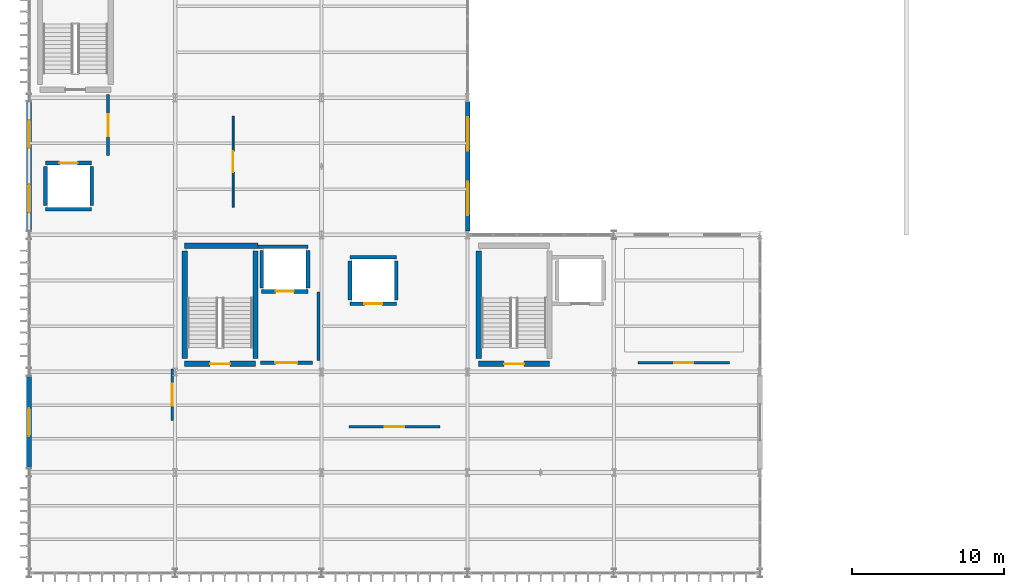
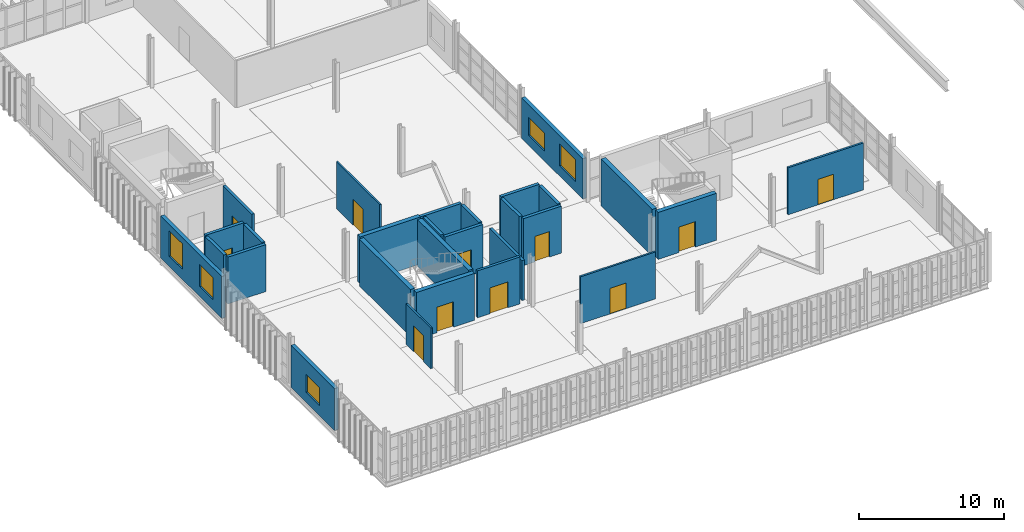
# One storey, part 31 of 52: 28 walls, 11 doors, 5 windows, 16 openings.
"""IFC4 building model written with IfcOpenShell, lengths in metres."""

from ifc_helpers import new_model, si_unit, direction, frame, frame_2d, origin, place, context, subcontext, project, spatial, rectangle, extrude, material, layer, layer_set, type_object, element, fill, save


model = new_model("IFC4")

# Units and contexts
model_context = context("Model", 3, precision=1e-05, world=origin(), true_north=direction((0.0, 1.0)))
body_context = subcontext(model_context, "Body", "Model", "MODEL_VIEW")
ifc_project = project(units=[si_unit("LENGTHUNIT", "METRE"), si_unit("AREAUNIT", "SQUARE_METRE"), si_unit("VOLUMEUNIT", "CUBIC_METRE"), si_unit("PLANEANGLEUNIT", "RADIAN"), si_unit("MASSUNIT", "GRAM", prefix="KILO")], contexts=[model_context])

# Site, building, storey
site_placement = place(None, origin())
site = spatial("IfcSite", under=ifc_project, at=site_placement, CompositionType="ELEMENT")
building_placement = place(site_placement, origin())
building = spatial("IfcBuilding", under=site, at=building_placement, Name="Zarnetskaya Central Station", CompositionType="ELEMENT")
storey_placement = place(building_placement, frame((0.0, 0.0, 14.39990234375)))
storey = spatial("IfcBuildingStorey", under=building, at=storey_placement, Name="L03", CompositionType="ELEMENT", Elevation=14.39990234375)

# Wall, opening, door
ifc_material_1 = material(Name="Gypsum acoustic partition")
ifc_layer_1 = layer(ifc_material_1, 0.159912109375, Name="Gypsum acoustic partition")
ifc_layer_set_1 = layer_set([ifc_layer_1], Name="Gypsum acoustic partition")
wall_type_1 = type_object("IfcWallType", Name="PART-ACOU-160", PredefinedType="PARTITIONING", material=ifc_layer_set_1)
wall_1_placement = place(storey_placement, frame((46.0, 13.800048828125, 0.0), z_axis=(0.0, 0.0, 1.0), x_axis=(-1.0, 0.0, 0.0)))
wall_1 = element("IfcWall", 1, at=wall_1_placement, inside=storey, type_object=wall_type_1, Name="Interior partition IPRT-L03-0428", PredefinedType="PARTITIONING", context=body_context, shape_type="SweptSolid", body=[
    extrude(rectangle(XDim=6.0, YDim=0.159912109375, at=frame_2d((3.0, 0.0))), origin(), (0.0, 0.0, 1.0), 3.960205078125),
])
opening_1_placement = place(wall_1_placement, frame((2.375, 0.0, 0.0)))
opening_1 = element("IfcOpeningElement", 2, at=opening_1_placement, cuts=wall_1, Name="Opening DR-11", PredefinedType="OPENING", context=body_context, shape_type="SweptSolid", body=[
    extrude(rectangle(XDim=1.25, YDim=2.159912109375, at=frame_2d((0.625, 1.080078125))), frame((0.0, 0.08984375, 0.0), z_axis=(0.0, -1.0, 0.0), x_axis=(1.0, 0.0, 0.0)), (0.0, 0.0, 1.0), 0.179931640625),
])
ifc_material_2 = material(Name="Anodised aluminium", Category="aluminium")
door_type_1 = type_object("IfcDoorType", Name="DR-INT-10", OperationType="NOTDEFINED", PredefinedType="DOOR", material=ifc_material_2)
door_1_placement = place(opening_1_placement, origin())
door_1 = element("IfcDoor", 3, at=door_1_placement, inside=storey, type_object=door_type_1, Name="Central Rail Traffic Control Hall door", OperationType="SINGLE_SWING_RIGHT", OverallHeight=2.159912109375, OverallWidth=1.25, PredefinedType="DOOR", context=body_context, shape_type="SweptSolid", body=[
    extrude(rectangle(XDim=1.25, YDim=2.159912109375, at=frame_2d((0.625, 1.080078125))), frame((0.0, 0.02490234375, 0.0), z_axis=(0.0, -1.0, 0.0), x_axis=(1.0, 0.0, 0.0)), (0.0, 0.0, 1.0), 0.050048828125),
])
fill(opening_1, door_1)

ifc_material_3 = material(Name="Concrete C30/37", Category="concrete")
ifc_layer_2 = layer(ifc_material_3, 0.205078125, Name="Concrete C30/37", Category="concrete")
ifc_layer_set_2 = layer_set([ifc_layer_2], Name="Concrete C30/37")
wall_type_2 = type_object("IfcWallType", Name="PART-FFL-205", PredefinedType="PARTITIONING", material=ifc_layer_set_2)
wall_2_placement = place(storey_placement, frame((18.60009765625, 13.800048828125, 0.0), z_axis=(0.0, 0.0, 1.0), x_axis=(-1.0, 0.0, 0.0)))
wall_2 = element("IfcWall", 4, at=wall_2_placement, inside=storey, type_object=wall_type_2, Name="Interior partition IPRT-L03-0365", PredefinedType="PARTITIONING", context=body_context, shape_type="SweptSolid", body=[
    extrude(rectangle(XDim=3.400146484375, YDim=0.205078125, at=frame_2d((1.7001953125, 0.0))), origin(), (0.0, 0.0, 1.0), 3.960205078125),
])
opening_2_placement = place(wall_2_placement, frame((0.97998046875, 0.0, 0.0)))
opening_2 = element("IfcOpeningElement", 5, at=opening_2_placement, cuts=wall_2, Name="Opening DR-FFL", PredefinedType="OPENING", context=body_context, shape_type="SweptSolid", body=[
    extrude(rectangle(XDim=1.43994140625, YDim=2.179931640625, at=frame_2d((0.719970703125, 1.08984375))), frame((0.0, 0.112548828125, 0.0), z_axis=(0.0, -1.0, 0.0), x_axis=(1.0, 0.0, 0.0)), (0.0, 0.0, 1.0), 0.22509765625),
])
door_type_2 = type_object("IfcDoorType", Name="DR-FIRE-LOBBY", OperationType="NOTDEFINED", PredefinedType="DOOR", material=ifc_material_2)
door_2_placement = place(opening_2_placement, origin())
door_2 = element("IfcDoor", 6, at=door_2_placement, inside=storey, type_object=door_type_2, Name="Firefighting Lift Lobby C1 door", OperationType="SINGLE_SWING_RIGHT", OverallHeight=2.179931640625, OverallWidth=1.43994140625, PredefinedType="DOOR", context=body_context, shape_type="SweptSolid", body=[
    extrude(rectangle(XDim=1.43994140625, YDim=2.179931640625, at=frame_2d((0.719970703125, 1.08984375))), frame((0.0, 0.02490234375, 0.0), z_axis=(0.0, -1.0, 0.0), x_axis=(1.0, 0.0, 0.0)), (0.0, 0.0, 1.0), 0.050048828125),
])
fill(opening_2, door_2)

# Wall
wall_3_placement = place(storey_placement, frame((19.0, 18.449951171875, 0.0), z_axis=(0.0, 0.0, 1.0), x_axis=(0.0, -1.0, 0.0)))
element("IfcWall", 7, at=wall_3_placement, inside=storey, type_object=wall_type_2, Name="Interior partition IPRT-L03-0366", PredefinedType="PARTITIONING", context=body_context, shape_type="SweptSolid", body=[
    extrude(rectangle(XDim=4.5, YDim=0.205078125, at=frame_2d((2.25, 0.0))), origin(), (0.0, 0.0, 1.0), 3.380126953125),
])

# Wall, opening, door
wall_4_placement = place(storey_placement, frame((5.199951171875, 31.39990234375, 0.0), z_axis=(0.0, 0.0, 1.0), x_axis=(0.0, -1.0, 0.0)))
wall_4 = element("IfcWall", 8, at=wall_4_placement, inside=storey, type_object=wall_type_2, Name="Interior partition IPRT-L03-0367", PredefinedType="PARTITIONING", context=body_context, shape_type="SweptSolid", body=[
    extrude(rectangle(XDim=4.0, YDim=0.205078125, at=frame_2d((2.0, 0.0))), origin(), (0.0, 0.0, 1.0), 3.960205078125),
])
opening_3_placement = place(wall_4_placement, frame((1.280029296875, 0.0, 0.0)))
opening_3 = element("IfcOpeningElement", 9, at=opening_3_placement, cuts=wall_4, Name="Opening DR-FFL", PredefinedType="OPENING", context=body_context, shape_type="SweptSolid", body=[
    extrude(rectangle(XDim=1.43994140625, YDim=2.179931640625, at=frame_2d((0.719970703125, 1.08984375))), frame((0.0, 0.112548828125, 0.0), z_axis=(0.0, -1.0, 0.0), x_axis=(1.0, 0.0, 0.0)), (0.0, 0.0, 1.0), 0.22509765625),
])
door_3_placement = place(opening_3_placement, origin())
door_3 = element("IfcDoor", 10, at=door_3_placement, inside=storey, type_object=door_type_2, Name="Firefighting Lift Lobby C2 door", OperationType="SINGLE_SWING_LEFT", OverallHeight=2.179931640625, OverallWidth=1.43994140625, PredefinedType="DOOR", context=body_context, shape_type="SweptSolid", body=[
    extrude(rectangle(XDim=1.43994140625, YDim=2.179931640625, at=frame_2d((0.719970703125, 1.08984375))), frame((0.0, 0.02490234375, 0.0), z_axis=(0.0, -1.0, 0.0), x_axis=(1.0, 0.0, 0.0)), (0.0, 0.0, 1.0), 0.050048828125),
])
fill(opening_3, door_3)

ifc_layer_3 = layer(ifc_material_1, 0.14501953125, Name="Gypsum acoustic partition")
ifc_layer_set_3 = layer_set([ifc_layer_3], Name="Gypsum acoustic partition")
wall_type_3 = type_object("IfcWallType", Name="PART-HALL-145", PredefinedType="PARTITIONING", material=ifc_layer_set_3)
wall_5_placement = place(storey_placement, frame((21.0, 9.60009765625, 0.0), z_axis=(0.0, 0.0, 1.0), x_axis=(1.0, 0.0, 0.0)))
wall_5 = element("IfcWall", 11, at=wall_5_placement, inside=storey, type_object=wall_type_3, Name="Interior partition IPRT-L03-0429", PredefinedType="PARTITIONING", context=body_context, shape_type="SweptSolid", body=[
    extrude(rectangle(XDim=6.0, YDim=0.14501953125, at=frame_2d((3.0, 0.0))), origin(), (0.0, 0.0, 1.0), 3.960205078125),
])
opening_4_placement = place(wall_5_placement, frame((2.35009765625, 0.0, 0.0)))
opening_4 = element("IfcOpeningElement", 12, at=opening_4_placement, cuts=wall_5, Name="Opening DR-14", PredefinedType="OPENING", context=body_context, shape_type="SweptSolid", body=[
    extrude(rectangle(XDim=1.300048828125, YDim=2.159912109375, at=frame_2d((0.64990234375, 1.080078125))), frame((0.0, 0.08251953125, 0.0), z_axis=(0.0, -1.0, 0.0), x_axis=(1.0, 0.0, 0.0)), (0.0, 0.0, 1.0), 0.1650390625),
])
door_type_3 = type_object("IfcDoorType", Name="DR-INT-11", OperationType="NOTDEFINED", PredefinedType="DOOR", material=ifc_material_2)
door_4_placement = place(opening_4_placement, origin())
door_4 = element("IfcDoor", 13, at=door_4_placement, inside=storey, type_object=door_type_3, Name="Train Movement Supervision Suite door", OperationType="SINGLE_SWING_LEFT", OverallHeight=2.159912109375, OverallWidth=1.300048828125, PredefinedType="DOOR", context=body_context, shape_type="SweptSolid", body=[
    extrude(rectangle(XDim=1.300048828125, YDim=2.159912109375, at=frame_2d((0.64990234375, 1.080078125))), frame((0.0, 0.02490234375, 0.0), z_axis=(0.0, -1.0, 0.0), x_axis=(1.0, 0.0, 0.0)), (0.0, 0.0, 1.0), 0.050048828125),
])
fill(opening_4, door_4)

wall_6_placement = place(storey_placement, frame((9.39990234375, 13.39990234375, 0.0), z_axis=(0.0, 0.0, 1.0), x_axis=(0.0, -1.0, 0.0)))
wall_6 = element("IfcWall", 14, at=wall_6_placement, inside=storey, type_object=wall_type_3, Name="Interior partition IPRT-L03-0431", PredefinedType="PARTITIONING", context=body_context, shape_type="SweptSolid", body=[
    extrude(rectangle(XDim=3.39990234375, YDim=0.14501953125, at=frame_2d((1.699951171875, 0.0))), origin(), (0.0, 0.0, 1.0), 3.43017578125),
])
opening_5_placement = place(wall_6_placement, frame((0.989990234375, 0.0, 0.0)))
opening_5 = element("IfcOpeningElement", 15, at=opening_5_placement, cuts=wall_6, Name="Opening DR-12", PredefinedType="OPENING", context=body_context, shape_type="SweptSolid", body=[
    extrude(rectangle(XDim=1.419921875, YDim=2.179931640625, at=frame_2d((0.7099609375, 1.08984375))), frame((0.0, 0.08251953125, 0.0), z_axis=(0.0, -1.0, 0.0), x_axis=(1.0, 0.0, 0.0)), (0.0, 0.0, 1.0), 0.1650390625),
])
door_type_4 = type_object("IfcDoorType", Name="DR-INT-13", OperationType="NOTDEFINED", PredefinedType="DOOR", material=ifc_material_2)
door_5_placement = place(opening_5_placement, origin())
door_5 = element("IfcDoor", 16, at=door_5_placement, inside=storey, type_object=door_type_4, Name="Crew Canteen and Briefing Hall door", OperationType="SINGLE_SWING_LEFT", OverallHeight=2.179931640625, OverallWidth=1.419921875, PredefinedType="DOOR", context=body_context, shape_type="SweptSolid", body=[
    extrude(rectangle(XDim=1.419921875, YDim=2.179931640625, at=frame_2d((0.7099609375, 1.08984375))), frame((0.0, 0.02490234375, 0.0), z_axis=(0.0, -1.0, 0.0), x_axis=(1.0, 0.0, 0.0)), (0.0, 0.0, 1.0), 0.050048828125),
])
fill(opening_5, door_5)

ifc_layer_4 = layer(ifc_material_1, 0.1298828125, Name="Gypsum acoustic partition")
ifc_layer_set_4 = layer_set([ifc_layer_4], Name="Gypsum acoustic partition")
wall_type_4 = type_object("IfcWallType", Name="PART-OFF-130", PredefinedType="PARTITIONING", material=ifc_layer_set_4)
wall_7_placement = place(storey_placement, frame((13.39990234375, 24.0, 0.0), z_axis=(0.0, 0.0, 1.0), x_axis=(0.0, 1.0, 0.0)))
wall_7 = element("IfcWall", 17, at=wall_7_placement, inside=storey, type_object=wall_type_4, Name="Interior partition IPRT-L03-0430", PredefinedType="PARTITIONING", context=body_context, shape_type="SweptSolid", body=[
    extrude(rectangle(XDim=6.0, YDim=0.1298828125, at=frame_2d((3.0, 0.0))), origin(), (0.0, 0.0, 1.0), 3.960205078125),
])
opening_6_placement = place(wall_7_placement, frame((2.320068359375, 0.0, 0.0)))
opening_6 = element("IfcOpeningElement", 18, at=opening_6_placement, cuts=wall_7, Name="Opening DR-08", PredefinedType="OPENING", context=body_context, shape_type="SweptSolid", body=[
    extrude(rectangle(XDim=1.360107421875, YDim=2.179931640625, at=frame_2d((0.68017578125, 1.08984375))), frame((0.0, 0.074951171875, 0.0), z_axis=(0.0, -1.0, 0.0), x_axis=(1.0, 0.0, 0.0)), (0.0, 0.0, 1.0), 0.14990234375),
])
door_type_5 = type_object("IfcDoorType", Name="DR-INT-12", OperationType="NOTDEFINED", PredefinedType="DOOR", material=ifc_material_2)
door_6_placement = place(opening_6_placement, origin())
door_6 = element("IfcDoor", 19, at=door_6_placement, inside=storey, type_object=door_type_5, Name="Crew Duty Rest Rooms North door", OperationType="SINGLE_SWING_RIGHT", OverallHeight=2.179931640625, OverallWidth=1.360107421875, PredefinedType="DOOR", context=body_context, shape_type="SweptSolid", body=[
    extrude(rectangle(XDim=1.360107421875, YDim=2.179931640625, at=frame_2d((0.68017578125, 1.08984375))), frame((0.0, 0.02490234375, 0.0), z_axis=(0.0, -1.0, 0.0), x_axis=(1.0, 0.0, 0.0)), (0.0, 0.0, 1.0), 0.050048828125),
])
fill(opening_6, door_6)

ifc_material_4 = material(Name="Concrete C35/45", Category="concrete")
ifc_layer_5 = layer(ifc_material_4, 0.35009765625, Name="Concrete C35/45", Category="concrete")
ifc_layer_set_5 = layer_set([ifc_layer_5], Name="Concrete C35/45")
wall_type_5 = type_object("IfcWallType", Name="WALL-CORE-350", PredefinedType="SHEAR", material=ifc_layer_set_5)
wall_8_placement = place(storey_placement, frame((14.875, 13.72509765625, 0.0), z_axis=(0.0, 0.0, 1.0), x_axis=(-1.0, 0.0, 0.0)))
wall_8 = element("IfcWall", 20, at=wall_8_placement, inside=storey, type_object=wall_type_5, Name="Core shear wall WSTR-L03-0205", PredefinedType="SHEAR", context=body_context, shape_type="SweptSolid", body=[
    extrude(rectangle(XDim=4.64990234375, YDim=0.35009765625, at=frame_2d((2.324951171875, 0.0))), origin(), (0.0, 0.0, 1.0), 3.960205078125),
])
opening_7_placement = place(wall_8_placement, frame((1.6650390625, 0.0, 0.0)))
opening_7 = element("IfcOpeningElement", 21, at=opening_7_placement, cuts=wall_8, Name="Opening DR-FD60", PredefinedType="OPENING", context=body_context, shape_type="SweptSolid", body=[
    extrude(rectangle(XDim=1.320068359375, YDim=2.14990234375, at=frame_2d((0.66015625, 1.074951171875))), frame((0.0, 0.18505859375, 0.0), z_axis=(0.0, -1.0, 0.0), x_axis=(1.0, 0.0, 0.0)), (0.0, 0.0, 1.0), 0.3701171875),
])
door_type_6 = type_object("IfcDoorType", Name="DR-FIRE-STAIR", OperationType="NOTDEFINED", PredefinedType="DOOR", material=ifc_material_2)
door_7_placement = place(opening_7_placement, origin())
door_7 = element("IfcDoor", 22, at=door_7_placement, inside=storey, type_object=door_type_6, Name="Protected exit stair door ST-C1 L03", OperationType="SINGLE_SWING_LEFT", OverallHeight=2.14990234375, OverallWidth=1.320068359375, PredefinedType="DOOR", context=body_context, shape_type="SweptSolid", body=[
    extrude(rectangle(XDim=1.320068359375, YDim=2.14990234375, at=frame_2d((0.66015625, 1.074951171875))), frame((0.0, 0.02490234375, 0.0), z_axis=(0.0, -1.0, 0.0), x_axis=(1.0, 0.0, 0.0)), (0.0, 0.0, 1.0), 0.050048828125),
])
fill(opening_7, door_7)

# Walls
wall_9_placement = place(storey_placement, frame((10.22509765625, 21.47509765625, 0.0), z_axis=(0.0, 0.0, 1.0), x_axis=(1.0, 0.0, 0.0)))
element("IfcWall", 23, at=wall_9_placement, inside=storey, type_object=wall_type_5, Name="Core shear wall WSTR-L03-0206", PredefinedType="SHEAR", context=body_context, shape_type="SweptSolid", body=[
    extrude(rectangle(XDim=4.824951171875, YDim=0.35009765625, at=frame_2d((2.41259765625, 0.0))), origin(), (0.0, 0.0, 1.0), 3.960205078125),
])
for number, where, z_axis, x_axis, name in (
    (24, (10.22509765625, 14.074951171875, 0.0), (0.0, 0.0, 1.0), (0.0, 1.0, 0.0), "Core shear wall WSTR-L03-0207"),
    (25, (14.875, 21.125, 0.0), (0.0, 0.0, 1.0), (0.0, -1.0, 0.0), "Core shear wall WSTR-L03-0208"),
):
    element("IfcWall", number, at=place(storey_placement, frame(where, z_axis=z_axis, x_axis=x_axis)), inside=storey, type_object=wall_type_5, Name=name, PredefinedType="SHEAR", context=body_context, shape_type="SweptSolid", body=[
        extrude(rectangle(XDim=7.050048828125, YDim=0.35009765625, at=frame_2d((3.52490234375, 0.0))), origin(), (0.0, 0.0, 1.0), 3.960205078125),
    ])

# Wall, opening, door
wall_10_placement = place(storey_placement, frame((34.175048828125, 13.72509765625, 0.0), z_axis=(0.0, 0.0, 1.0), x_axis=(-1.0, 0.0, 0.0)))
wall_10 = element("IfcWall", 26, at=wall_10_placement, inside=storey, type_object=wall_type_5, Name="Core shear wall WSTR-L03-0261", PredefinedType="SHEAR", context=body_context, shape_type="SweptSolid", body=[
    extrude(rectangle(XDim=4.650146484375, YDim=0.35009765625, at=frame_2d((2.3251953125, 0.0))), origin(), (0.0, 0.0, 1.0), 3.960205078125),
])
opening_8_placement = place(wall_10_placement, frame((1.6650390625, 0.0, 0.0)))
opening_8 = element("IfcOpeningElement", 27, at=opening_8_placement, cuts=wall_10, Name="Opening DR-FD60", PredefinedType="OPENING", context=body_context, shape_type="SweptSolid", body=[
    extrude(rectangle(XDim=1.320068359375, YDim=2.14990234375, at=frame_2d((0.66015625, 1.074951171875))), frame((0.0, 0.18505859375, 0.0), z_axis=(0.0, -1.0, 0.0), x_axis=(1.0, 0.0, 0.0)), (0.0, 0.0, 1.0), 0.3701171875),
])
door_8_placement = place(opening_8_placement, origin())
door_8 = element("IfcDoor", 28, at=door_8_placement, inside=storey, type_object=door_type_6, Name="Protected exit stair door ST-C3 L03", OperationType="SINGLE_SWING_LEFT", OverallHeight=2.14990234375, OverallWidth=1.320068359375, PredefinedType="DOOR", context=body_context, shape_type="SweptSolid", body=[
    extrude(rectangle(XDim=1.320068359375, YDim=2.14990234375, at=frame_2d((0.66015625, 1.074951171875))), frame((0.0, 0.02490234375, 0.0), z_axis=(0.0, -1.0, 0.0), x_axis=(1.0, 0.0, 0.0)), (0.0, 0.0, 1.0), 0.050048828125),
])
fill(opening_8, door_8)

# Wall
wall_11_placement = place(storey_placement, frame((29.52490234375, 14.074951171875, 0.0), z_axis=(0.0, 0.0, 1.0), x_axis=(0.0, 1.0, 0.0)))
element("IfcWall", 29, at=wall_11_placement, inside=storey, type_object=wall_type_5, Name="Core shear wall WSTR-L03-0263", PredefinedType="SHEAR", context=body_context, shape_type="SweptSolid", body=[
    extrude(rectangle(XDim=7.050048828125, YDim=0.35009765625, at=frame_2d((3.52490234375, 0.0))), origin(), (0.0, 0.0, 1.0), 3.960205078125),
])

# Wall, opening, window
ifc_material_5 = material(Name="Precast concrete C40/50", Category="concrete")
ifc_layer_6 = layer(ifc_material_5, 0.300048828125, Name="Precast concrete C40/50", Category="concrete")
ifc_layer_set_6 = layer_set([ifc_layer_6], Name="Precast concrete C40/50")
wall_type_6 = type_object("IfcWallType", Name="WALL-EXT-300", PredefinedType="SOLIDWALL", material=ifc_layer_set_6)
wall_12_placement = place(storey_placement, frame((0.0, 6.875, 0.0), z_axis=(0.0, 0.0, 1.0), x_axis=(0.0, 1.0, 0.0)))
wall_12 = element("IfcWall", 30, at=wall_12_placement, inside=storey, type_object=wall_type_6, Name="Exterior precast wall EW-L03-0-69-0-129", PredefinedType="SOLIDWALL", context=body_context, shape_type="SweptSolid", body=[
    extrude(rectangle(XDim=6.050048828125, YDim=0.300048828125, at=frame_2d((3.02490234375, 0.0))), origin(), (0.0, 0.0, 1.0), 3.530029296875),
])
opening_9_placement = place(wall_12_placement, frame((2.10009765625, 0.0, 0.85009765625)))
opening_9 = element("IfcOpeningElement", 31, at=opening_9_placement, cuts=wall_12, Name="Opening WN-13", PredefinedType="OPENING", context=body_context, shape_type="SweptSolid", body=[
    extrude(rectangle(XDim=1.85009765625, YDim=1.5, at=frame_2d((0.925048828125, 0.75))), frame((0.0, 0.16015625, 0.0), z_axis=(0.0, -1.0, 0.0), x_axis=(1.0, 0.0, 0.0)), (0.0, 0.0, 1.0), 0.320068359375),
])
ifc_material_6 = material(Name="Low-E insulated glass", Category="glass")
window_type_1 = type_object("IfcWindowType", Name="WIN-22", PartitioningType="DOUBLE_PANEL_VERTICAL", PredefinedType="WINDOW", material=ifc_material_6)
window_1_placement = place(opening_9_placement, origin())
window_1 = element("IfcWindow", 32, at=window_1_placement, inside=storey, type_object=window_type_1, Name="Facade window L03-0076", OverallHeight=1.5, OverallWidth=1.85009765625, PartitioningType="SINGLE_PANEL", PredefinedType="WINDOW", context=body_context, shape_type="SweptSolid", body=[
    extrude(rectangle(XDim=1.85009765625, YDim=1.5, at=frame_2d((0.925048828125, 0.75))), frame((0.0, 0.030029296875, 0.0), z_axis=(0.0, -1.0, 0.0), x_axis=(1.0, 0.0, 0.0)), (0.0, 0.0, 1.0), 0.06005859375),
])
fill(opening_9, window_1)

# Wall, openings, windows
wall_13_placement = place(storey_placement, frame((0.0, 22.47509765625, 0.0), z_axis=(0.0, 0.0, 1.0), x_axis=(0.0, 1.0, 0.0)))
wall_13 = element("IfcWall", 33, at=wall_13_placement, inside=storey, type_object=wall_type_6, Name="Exterior precast wall EW-L03-0-225-0-309", PredefinedType="SOLIDWALL", context=body_context, shape_type="SweptSolid", body=[
    extrude(rectangle(XDim=8.449951171875, YDim=0.300048828125, at=frame_2d((4.22509765625, 0.0))), origin(), (0.0, 0.0, 1.0), 3.530029296875),
])
opening_10_placement = place(wall_13_placement, frame((1.1875, 0.0, 0.85009765625)))
opening_10 = element("IfcOpeningElement", 34, at=opening_10_placement, cuts=wall_13, Name="Opening WN-08", PredefinedType="OPENING", context=body_context, shape_type="SweptSolid", body=[
    extrude(rectangle(XDim=1.85009765625, YDim=1.85009765625, at=frame_2d((0.925048828125, 0.925048828125))), frame((0.0, 0.16015625, 0.0), z_axis=(0.0, -1.0, 0.0), x_axis=(1.0, 0.0, 0.0)), (0.0, 0.0, 1.0), 0.320068359375),
])
opening_11_placement = place(wall_13_placement, frame((5.41259765625, 0.0, 0.85009765625)))
opening_11 = element("IfcOpeningElement", 35, at=opening_11_placement, cuts=wall_13, Name="Opening WN-18", PredefinedType="OPENING", context=body_context, shape_type="SweptSolid", body=[
    extrude(rectangle(XDim=1.85009765625, YDim=2.14990234375, at=frame_2d((0.925048828125, 1.074951171875))), frame((0.0, 0.16015625, 0.0), z_axis=(0.0, -1.0, 0.0), x_axis=(1.0, 0.0, 0.0)), (0.0, 0.0, 1.0), 0.320068359375),
])
window_type_2 = type_object("IfcWindowType", Name="WIN-23", PartitioningType="DOUBLE_PANEL_VERTICAL", PredefinedType="WINDOW", material=ifc_material_6)
window_2_placement = place(opening_10_placement, origin())
window_2 = element("IfcWindow", 36, at=window_2_placement, inside=storey, type_object=window_type_2, Name="Facade window L03-0077", OverallHeight=1.85009765625, OverallWidth=1.85009765625, PartitioningType="SINGLE_PANEL", PredefinedType="WINDOW", context=body_context, shape_type="SweptSolid", body=[
    extrude(rectangle(XDim=1.85009765625, YDim=1.85009765625, at=frame_2d((0.925048828125, 0.925048828125))), frame((0.0, 0.030029296875, 0.0), z_axis=(0.0, -1.0, 0.0), x_axis=(1.0, 0.0, 0.0)), (0.0, 0.0, 1.0), 0.06005859375),
])
fill(opening_10, window_2)
window_type_3 = type_object("IfcWindowType", Name="WIN-24", PartitioningType="DOUBLE_PANEL_VERTICAL", PredefinedType="WINDOW", material=ifc_material_6)
window_3_placement = place(opening_11_placement, origin())
window_3 = element("IfcWindow", 37, at=window_3_placement, inside=storey, type_object=window_type_3, Name="Facade window L03-0078", OverallHeight=2.14990234375, OverallWidth=1.85009765625, PartitioningType="SINGLE_PANEL", PredefinedType="WINDOW", context=body_context, shape_type="SweptSolid", body=[
    extrude(rectangle(XDim=1.85009765625, YDim=2.14990234375, at=frame_2d((0.925048828125, 1.074951171875))), frame((0.0, 0.030029296875, 0.0), z_axis=(0.0, -1.0, 0.0), x_axis=(1.0, 0.0, 0.0)), (0.0, 0.0, 1.0), 0.06005859375),
])
fill(opening_11, window_3)

wall_14_placement = place(storey_placement, frame((28.800048828125, 30.949951171875, 0.0), z_axis=(0.0, 0.0, 1.0), x_axis=(0.0, -1.0, 0.0)))
wall_14 = element("IfcWall", 38, at=wall_14_placement, inside=storey, type_object=wall_type_6, Name="Exterior precast wall EW-L03-288-310-288-224", PredefinedType="SOLIDWALL", context=body_context, shape_type="SweptSolid", body=[
    extrude(rectangle(XDim=8.5, YDim=0.300048828125, at=frame_2d((4.25, 0.0))), origin(), (0.0, 0.0, 1.0), 3.400146484375),
])
opening_12_placement = place(wall_14_placement, frame((1.02490234375, 0.0, 0.85009765625)))
opening_12 = element("IfcOpeningElement", 39, at=opening_12_placement, cuts=wall_14, Name="Opening WN-15", PredefinedType="OPENING", context=body_context, shape_type="SweptSolid", body=[
    extrude(rectangle(XDim=2.199951171875, YDim=1.5, at=frame_2d((1.10009765625, 0.75))), frame((0.0, 0.16015625, 0.0), z_axis=(0.0, -1.0, 0.0), x_axis=(1.0, 0.0, 0.0)), (0.0, 0.0, 1.0), 0.320068359375),
])
opening_13_placement = place(wall_14_placement, frame((5.27490234375, 0.0, 0.85009765625)))
opening_13 = element("IfcOpeningElement", 40, at=opening_13_placement, cuts=wall_14, Name="Opening WN-22", PredefinedType="OPENING", context=body_context, shape_type="SweptSolid", body=[
    extrude(rectangle(XDim=2.199951171875, YDim=1.85009765625, at=frame_2d((1.10009765625, 0.925048828125))), frame((0.0, 0.16015625, 0.0), z_axis=(0.0, -1.0, 0.0), x_axis=(1.0, 0.0, 0.0)), (0.0, 0.0, 1.0), 0.320068359375),
])
window_type_4 = type_object("IfcWindowType", Name="WIN-31", PartitioningType="DOUBLE_PANEL_VERTICAL", PredefinedType="WINDOW", material=ifc_material_6)
window_4_placement = place(opening_12_placement, origin())
window_4 = element("IfcWindow", 41, at=window_4_placement, inside=storey, type_object=window_type_4, Name="Facade window L03-0085", OverallHeight=1.5, OverallWidth=2.199951171875, PartitioningType="SINGLE_PANEL", PredefinedType="WINDOW", context=body_context, shape_type="SweptSolid", body=[
    extrude(rectangle(XDim=2.199951171875, YDim=1.5, at=frame_2d((1.10009765625, 0.75))), frame((0.0, 0.030029296875, 0.0), z_axis=(0.0, -1.0, 0.0), x_axis=(1.0, 0.0, 0.0)), (0.0, 0.0, 1.0), 0.06005859375),
])
fill(opening_12, window_4)
window_type_5 = type_object("IfcWindowType", Name="WIN-32", PartitioningType="DOUBLE_PANEL_VERTICAL", PredefinedType="WINDOW", material=ifc_material_6)
window_5_placement = place(opening_13_placement, origin())
window_5 = element("IfcWindow", 42, at=window_5_placement, inside=storey, type_object=window_type_5, Name="Facade window L03-0086", OverallHeight=1.85009765625, OverallWidth=2.199951171875, PartitioningType="SINGLE_PANEL", PredefinedType="WINDOW", context=body_context, shape_type="SweptSolid", body=[
    extrude(rectangle(XDim=2.199951171875, YDim=1.85009765625, at=frame_2d((1.10009765625, 0.925048828125))), frame((0.0, 0.030029296875, 0.0), z_axis=(0.0, -1.0, 0.0), x_axis=(1.0, 0.0, 0.0)), (0.0, 0.0, 1.0), 0.06005859375),
])
fill(opening_13, window_5)

# Wall, opening, door
ifc_layer_7 = layer(ifc_material_4, 0.239990234375, Name="Concrete C35/45", Category="concrete")
ifc_layer_set_7 = layer_set([ifc_layer_7], Name="Concrete C35/45")
wall_type_7 = type_object("IfcWallType", Name="WALL-SHFT-240", PredefinedType="SHEAR", material=ifc_layer_set_7)
wall_15_placement = place(storey_placement, frame((18.320068359375, 18.47998046875, 0.0), z_axis=(0.0, 0.0, 1.0), x_axis=(-1.0, 0.0, 0.0)))
wall_15 = element("IfcWall", 43, at=wall_15_placement, inside=storey, type_object=wall_type_7, Name="Core shear wall WSHF-L03-0017", PredefinedType="SHEAR", context=body_context, shape_type="SweptSolid", body=[
    extrude(rectangle(XDim=3.0400390625, YDim=0.239990234375, at=frame_2d((1.52001953125, 0.0))), origin(), (0.0, 0.0, 1.0), 3.960205078125),
])
opening_14_placement = place(wall_15_placement, frame((0.919921875, 0.0, 0.0)))
opening_14 = element("IfcOpeningElement", 44, at=opening_14_placement, cuts=wall_15, Name="Opening LD-FF", PredefinedType="OPENING", context=body_context, shape_type="SweptSolid", body=[
    extrude(rectangle(XDim=1.199951171875, YDim=2.14990234375, at=frame_2d((0.60009765625, 1.074951171875))), frame((0.0, 0.1298828125, 0.0), z_axis=(0.0, -1.0, 0.0), x_axis=(1.0, 0.0, 0.0)), (0.0, 0.0, 1.0), 0.260009765625),
])
door_type_7 = type_object("IfcDoorType", Name="DR-LIFT-FF", OperationType="NOTDEFINED", PredefinedType="DOOR", material=ifc_material_2)
door_9_placement = place(opening_14_placement, origin())
door_9 = element("IfcDoor", 45, at=door_9_placement, inside=storey, type_object=door_type_7, Name="Lift landing sliding door FL-01 L03", OperationType="DOUBLE_DOOR_SLIDING", OverallHeight=2.14990234375, OverallWidth=1.199951171875, PredefinedType="DOOR", context=body_context, shape_type="SweptSolid", body=[
    extrude(rectangle(XDim=1.199951171875, YDim=2.14990234375, at=frame_2d((0.60009765625, 1.074951171875))), frame((0.0, 0.02490234375, 0.0), z_axis=(0.0, -1.0, 0.0), x_axis=(1.0, 0.0, 0.0)), (0.0, 0.0, 1.0), 0.050048828125),
])
fill(opening_14, door_9)

# Walls
wall_16_placement = place(storey_placement, frame((15.050048828125, 21.419921875, 0.0), z_axis=(0.0, 0.0, 1.0), x_axis=(1.0, 0.0, 0.0)))
element("IfcWall", 46, at=wall_16_placement, inside=storey, type_object=wall_type_7, Name="Core shear wall WSHF-L03-0018", PredefinedType="SHEAR", context=body_context, shape_type="SweptSolid", body=[
    extrude(rectangle(XDim=3.27001953125, YDim=0.239990234375, at=frame_2d((1.635009765625, 0.0))), origin(), (0.0, 0.0, 1.0), 3.960205078125),
])
for number, where, z_axis, x_axis, name in (
    (47, (15.280029296875, 18.719970703125, 0.0), (0.0, 0.0, 1.0), (0.0, 1.0, 0.0), "Core shear wall WSHF-L03-0019"),
    (48, (18.320068359375, 21.179931640625, 0.0), (0.0, 0.0, 1.0), (0.0, -1.0, 0.0), "Core shear wall WSHF-L03-0020"),
):
    element("IfcWall", number, at=place(storey_placement, frame(where, z_axis=z_axis, x_axis=x_axis)), inside=storey, type_object=wall_type_7, Name=name, PredefinedType="SHEAR", context=body_context, shape_type="SweptSolid", body=[
        extrude(rectangle(XDim=2.4599609375, YDim=0.239990234375, at=frame_2d((1.22998046875, 0.0))), origin(), (0.0, 0.0, 1.0), 3.960205078125),
    ])

# Wall, opening, door
wall_17_placement = place(storey_placement, frame((24.1201171875, 17.679931640625, 0.0), z_axis=(0.0, 0.0, 1.0), x_axis=(-1.0, 0.0, 0.0)))
wall_17 = element("IfcWall", 49, at=wall_17_placement, inside=storey, type_object=wall_type_7, Name="Core shear wall WSHF-L03-0045", PredefinedType="SHEAR", context=body_context, shape_type="SweptSolid", body=[
    extrude(rectangle(XDim=3.0400390625, YDim=0.239990234375, at=frame_2d((1.52001953125, 0.0))), origin(), (0.0, 0.0, 1.0), 3.960205078125),
])
opening_15_placement = place(wall_17_placement, frame((0.93994140625, 0.0, 0.0)))
opening_15 = element("IfcOpeningElement", 50, at=opening_15_placement, cuts=wall_17, Name="Opening DR-24", PredefinedType="OPENING", context=body_context, shape_type="SweptSolid", body=[
    extrude(rectangle(XDim=1.159912109375, YDim=2.14990234375, at=frame_2d((0.580078125, 1.074951171875))), frame((0.0, 0.1298828125, 0.0), z_axis=(0.0, -1.0, 0.0), x_axis=(1.0, 0.0, 0.0)), (0.0, 0.0, 1.0), 0.260009765625),
])
door_type_8 = type_object("IfcDoorType", Name="DR-LIFT-PAX", OperationType="NOTDEFINED", PredefinedType="DOOR", material=ifc_material_2)
door_10_placement = place(opening_15_placement, origin())
door_10 = element("IfcDoor", 51, at=door_10_placement, inside=storey, type_object=door_type_8, Name="Lift landing sliding door LP-01 L03", OperationType="DOUBLE_DOOR_SLIDING", OverallHeight=2.14990234375, OverallWidth=1.159912109375, PredefinedType="DOOR", context=body_context, shape_type="SweptSolid", body=[
    extrude(rectangle(XDim=1.159912109375, YDim=2.14990234375, at=frame_2d((0.580078125, 1.074951171875))), frame((0.0, 0.02490234375, 0.0), z_axis=(0.0, -1.0, 0.0), x_axis=(1.0, 0.0, 0.0)), (0.0, 0.0, 1.0), 0.050048828125),
])
fill(opening_15, door_10)

# Walls
wall_18_placement = place(storey_placement, frame((21.080078125, 20.719970703125, 0.0), z_axis=(0.0, 0.0, 1.0), x_axis=(1.0, 0.0, 0.0)))
element("IfcWall", 52, at=wall_18_placement, inside=storey, type_object=wall_type_7, Name="Core shear wall WSHF-L03-0046", PredefinedType="SHEAR", context=body_context, shape_type="SweptSolid", body=[
    extrude(rectangle(XDim=3.0400390625, YDim=0.239990234375, at=frame_2d((1.52001953125, 0.0))), origin(), (0.0, 0.0, 1.0), 3.960205078125),
])
for number, where, z_axis, x_axis, name in (
    (53, (21.080078125, 17.919921875, 0.0), (0.0, 0.0, 1.0), (0.0, 1.0, 0.0), "Core shear wall WSHF-L03-0047"),
    (54, (24.1201171875, 20.47998046875, 0.0), (0.0, 0.0, 1.0), (0.0, -1.0, 0.0), "Core shear wall WSHF-L03-0048"),
):
    element("IfcWall", number, at=place(storey_placement, frame(where, z_axis=z_axis, x_axis=x_axis)), inside=storey, type_object=wall_type_7, Name=name, PredefinedType="SHEAR", context=body_context, shape_type="SweptSolid", body=[
        extrude(rectangle(XDim=2.56005859375, YDim=0.239990234375, at=frame_2d((1.280029296875, 0.0))), origin(), (0.0, 0.0, 1.0), 3.960205078125),
    ])
wall_19_placement = place(storey_placement, frame((4.1201171875, 23.8798828125, 0.0), z_axis=(0.0, 0.0, 1.0), x_axis=(-1.0, 0.0, 0.0)))
element("IfcWall", 55, at=wall_19_placement, inside=storey, type_object=wall_type_7, Name="Core shear wall WSHF-L03-0073", PredefinedType="SHEAR", context=body_context, shape_type="SweptSolid", body=[
    extrude(rectangle(XDim=3.0400390625, YDim=0.239990234375, at=frame_2d((1.52001953125, 0.0))), origin(), (0.0, 0.0, 1.0), 3.960205078125),
])

# Wall, opening, door
wall_20_placement = place(storey_placement, frame((1.080078125, 26.919921875, 0.0), z_axis=(0.0, 0.0, 1.0), x_axis=(1.0, 0.0, 0.0)))
wall_20 = element("IfcWall", 56, at=wall_20_placement, inside=storey, type_object=wall_type_7, Name="Core shear wall WSHF-L03-0074", PredefinedType="SHEAR", context=body_context, shape_type="SweptSolid", body=[
    extrude(rectangle(XDim=3.0400390625, YDim=0.239990234375, at=frame_2d((1.52001953125, 0.0))), origin(), (0.0, 0.0, 1.0), 3.960205078125),
])
opening_16_placement = place(wall_20_placement, frame((0.919921875, 0.0, 0.0)))
opening_16 = element("IfcOpeningElement", 57, at=opening_16_placement, cuts=wall_20, Name="Opening LD-FF", PredefinedType="OPENING", context=body_context, shape_type="SweptSolid", body=[
    extrude(rectangle(XDim=1.199951171875, YDim=2.14990234375, at=frame_2d((0.60009765625, 1.074951171875))), frame((0.0, 0.1298828125, 0.0), z_axis=(0.0, -1.0, 0.0), x_axis=(1.0, 0.0, 0.0)), (0.0, 0.0, 1.0), 0.260009765625),
])
door_11_placement = place(opening_16_placement, origin())
door_11 = element("IfcDoor", 58, at=door_11_placement, inside=storey, type_object=door_type_7, Name="Lift landing sliding door FL-02 L03", OperationType="DOUBLE_DOOR_SLIDING", OverallHeight=2.14990234375, OverallWidth=1.199951171875, PredefinedType="DOOR", context=body_context, shape_type="SweptSolid", body=[
    extrude(rectangle(XDim=1.199951171875, YDim=2.14990234375, at=frame_2d((0.60009765625, 1.074951171875))), frame((0.0, 0.02490234375, 0.0), z_axis=(0.0, -1.0, 0.0), x_axis=(1.0, 0.0, 0.0)), (0.0, 0.0, 1.0), 0.050048828125),
])
fill(opening_16, door_11)

# Walls
for number, where, z_axis, x_axis, name in (
    (59, (1.080078125, 24.1201171875, 0.0), (0.0, 0.0, 1.0), (0.0, 1.0, 0.0), "Core shear wall WSHF-L03-0075"),
    (60, (4.1201171875, 26.679931640625, 0.0), (0.0, 0.0, 1.0), (0.0, -1.0, 0.0), "Core shear wall WSHF-L03-0076"),
):
    element("IfcWall", number, at=place(storey_placement, frame(where, z_axis=z_axis, x_axis=x_axis)), inside=storey, type_object=wall_type_7, Name=name, PredefinedType="SHEAR", context=body_context, shape_type="SweptSolid", body=[
        extrude(rectangle(XDim=2.559814453125, YDim=0.239990234375, at=frame_2d((1.27978515625, 0.0))), origin(), (0.0, 0.0, 1.0), 3.960205078125),
    ])

save(model, "model.ifc")
